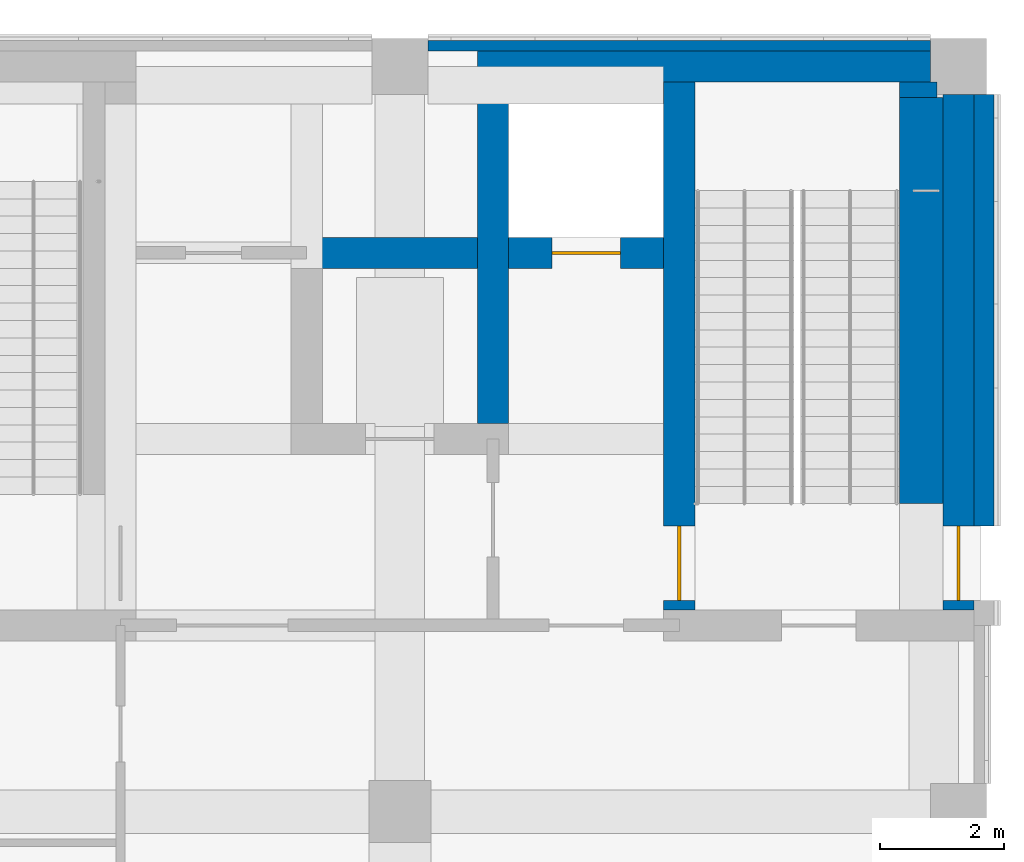
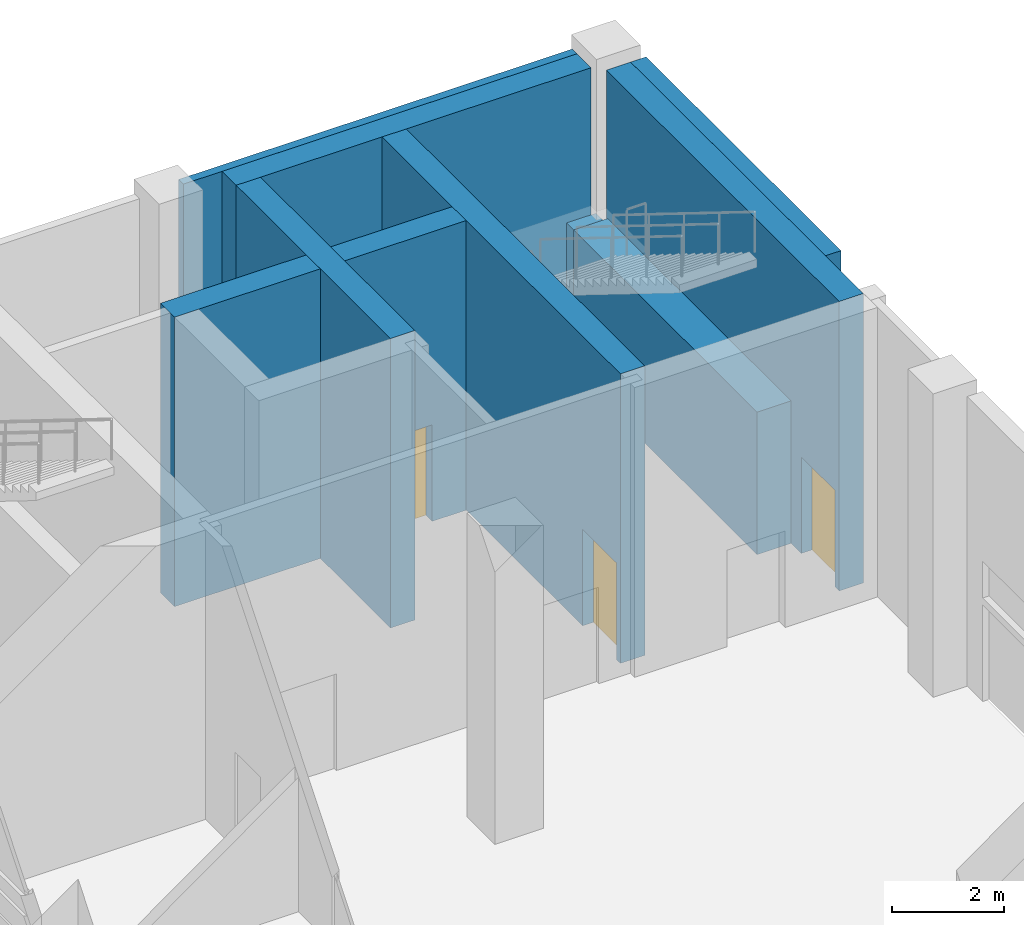
# One storey, part 19 of 35: 9 walls, 3 doors, 3 openings.
"""IFC4 building model written with IfcOpenShell, lengths in metres."""

import ifcopenshell
import ifcopenshell.guid

model = None  # the IFC model being written
_history = None  # IfcOwnerHistory: only IFC2X3 demands one
_inside = {}  # id of a spatial element -> (the spatial element, [elements in it])
_under = {}  # id of a project, library or spatial element -> (it, [spatial elements below it])
_declared = {}  # id of a project -> (the project, [libraries it declares])
_typed = {}  # id of a type object -> (the type object, [elements of that type])
_made_of = {}  # id of a material, layer set ... -> (it, [elements and type objects made of it])


def new_model(schema):
    """Start an empty IFC model of exactly this schema.

    Asked for "IFC4X3", IfcOpenShell would pick the latest addendum, in which some entities
    have other attributes; the version numbers below select the first issue.
    IFC2X3 requires an IfcOwnerHistory on every rooted entity: one is made here for all.
    """
    global model, _history
    if schema == "IFC4X3":
        model = ifcopenshell.file(schema_version=(4, 3, 0, 0))
    else:
        model = ifcopenshell.file(schema=schema)
    _inside.clear()
    _under.clear()
    _declared.clear()
    _typed.clear()
    _made_of.clear()
    _history = None
    if model.schema == "IFC2X3":
        org = make("IfcOrganization", Name="unknown")
        user = make(
            "IfcPersonAndOrganization",
            ThePerson=make("IfcPerson", FamilyName="unknown"),
            TheOrganization=org,
        )
        app = make(
            "IfcApplication",
            ApplicationDeveloper=org,
            Version="unknown",
            ApplicationFullName="unknown",
            ApplicationIdentifier="unknown",
        )
        _history = make(
            "IfcOwnerHistory",
            OwningUser=user,
            OwningApplication=app,
            ChangeAction="ADDED",
            CreationDate=0,
        )
    return model


def make(cls, **values):
    """One entity of the class cls with the attributes given. An attribute that is None is left unset."""
    return model.create_entity(
        cls, **{name: value for name, value in values.items() if value is not None}
    )


def rooted(cls, **values):
    """An entity with a GlobalId (a new one), such as an element, a storey or a relation."""
    return make(cls, GlobalId=ifcopenshell.guid.new(), OwnerHistory=_history, **values)


def si_unit(unit_type, name, prefix=None):
    """IfcSIUnit, for example si_unit("LENGTHUNIT", "METRE", prefix="MILLI")."""
    return make("IfcSIUnit", UnitType=unit_type, Prefix=prefix, Name=name)


def assignment(units):
    """IfcUnitAssignment: the units of a project."""
    return None if units is None else make("IfcUnitAssignment", Units=units)


def point(xyz):
    """IfcCartesianPoint."""
    return None if xyz is None else make("IfcCartesianPoint", Coordinates=xyz)


def direction(xyz):
    """IfcDirection."""
    return None if xyz is None else make("IfcDirection", DirectionRatios=xyz)


def frame(location, z_axis=None, x_axis=None):
    """IfcAxis2Placement3D, a coordinate frame: its origin and axes. An axis left out is left unset."""
    return make(
        "IfcAxis2Placement3D",
        Location=point(location),
        Axis=direction(z_axis),
        RefDirection=direction(x_axis),
    )


def frame_2d(location, x_axis=None):
    """IfcAxis2Placement2D, a coordinate frame in the plane: its origin and x axis."""
    return make(
        "IfcAxis2Placement2D", Location=point(location), RefDirection=direction(x_axis)
    )


def origin():
    """The frame at (0, 0, 0) with its axes left unset."""
    return frame((0.0, 0.0, 0.0))


def place(relative_to, where):
    """IfcLocalPlacement: puts the frame where relative to a parent placement (None: the world)."""
    return make(
        "IfcLocalPlacement", PlacementRelTo=relative_to, RelativePlacement=where
    )


def context(
    kind, dimensions, precision=None, world=None, true_north=None, identifier=None
):
    """IfcGeometricRepresentationContext, for example the 3D "Model" context."""
    return make(
        "IfcGeometricRepresentationContext",
        ContextIdentifier=identifier,
        ContextType=kind,
        CoordinateSpaceDimension=dimensions,
        Precision=precision,
        WorldCoordinateSystem=world,
        TrueNorth=true_north,
    )


def subcontext(parent, identifier, kind, view, scale=None):
    """IfcGeometricRepresentationSubContext, for example "Body" below "Model"."""
    return make(
        "IfcGeometricRepresentationSubContext",
        ContextIdentifier=identifier,
        ContextType=kind,
        ParentContext=parent,
        TargetScale=scale,
        TargetView=view,
    )


def project(units=None, contexts=None):
    """IfcProject with its units and contexts."""
    return rooted(
        "IfcProject",
        Name="project",
        RepresentationContexts=contexts,
        UnitsInContext=assignment(units),
    )


def spatial(cls, under=None, at=None, **own):
    """A site, building, storey or space (cls), placed at a placement, below another one or the project."""
    s = rooted(cls, ObjectPlacement=at, **own)
    if under is not None:
        _under.setdefault(under.id(), (under, []))[1].append(s)
    return s


def profile(cls, at=None, kind="AREA", **sizes):
    """A parametric profile (cls). Its sizes go by their IFC names, for example OverallWidth=200.0."""
    return make(cls, ProfileType=kind, Position=at, **sizes)


def rectangle(**sizes):
    """IfcRectangleProfileDef."""
    return profile("IfcRectangleProfileDef", **sizes)


def extrude(swept, where, along, depth):
    """IfcExtrudedAreaSolid: the profile swept, set in the frame where, extruded along a direction by depth."""
    return make(
        "IfcExtrudedAreaSolid",
        SweptArea=swept,
        Position=where,
        ExtrudedDirection=direction(along),
        Depth=depth,
    )


def shape(context_of_items, identifier, shape_type, items):
    """IfcShapeRepresentation: the items that make up one representation, for example the "Body"."""
    return make(
        "IfcShapeRepresentation",
        ContextOfItems=context_of_items,
        RepresentationIdentifier=identifier,
        RepresentationType=shape_type,
        Items=items,
    )


def material(Name=None, Category=None):
    """IfcMaterial."""
    return make("IfcMaterial", Name=Name, Category=Category)


def layer(
    of_material, thickness, ventilated=None, Name=None, Category=None, Priority=None
):
    """IfcMaterialLayer: one layer of a wall or slab, of a material (None: an air gap)."""
    return make(
        "IfcMaterialLayer",
        Material=of_material,
        LayerThickness=thickness,
        IsVentilated=ventilated,
        Name=Name,
        Category=Category,
        Priority=Priority,
    )


def layer_set(layers, Name=None):
    """IfcMaterialLayerSet."""
    return make("IfcMaterialLayerSet", MaterialLayers=layers, LayerSetName=Name)


def made_of(thing, what):
    """Note that an element or type object is made of a material, layer set ...; save() writes the relation."""
    if what is not None:
        _made_of.setdefault(what.id(), (what, []))[1].append(thing)
    return thing


def type_object(cls, material=None, **own):
    """A type object (cls), such as IfcWallType, which elements share."""
    return made_of(rooted(cls, **own), material)


def element(
    cls,
    number,
    at=None,
    inside=None,
    cuts=None,
    type_object=None,
    material=None,
    context=None,
    identifier="Body",
    shape_type=None,
    held_by="IfcProductDefinitionShape",
    body=None,
    shapes=None,
    **own,
):
    """One element of the class cls, such as IfcWall. Its Tag is "e" and its number.

    at: its placement. inside: the storey or other place that contains it. cuts: it is an
    opening in that element (IfcRelVoidsElement). A single representation is given by context,
    identifier, shape_type and body (its items); several are given by shapes. held_by: the class
    of the entity that holds the representations. save() writes the other relations.
    """
    e = rooted(cls, Tag="e%d" % number, ObjectPlacement=at, **own)
    if body is not None:
        shapes = [shape(context, identifier, shape_type, body)]
    if shapes is not None:
        e.Representation = make(held_by, Representations=shapes)
    if inside is not None:
        _inside.setdefault(inside.id(), (inside, []))[1].append(e)
    if cuts is not None:
        rooted(
            "IfcRelVoidsElement", RelatingBuildingElement=cuts, RelatedOpeningElement=e
        )
    if type_object is not None:
        _typed.setdefault(type_object.id(), (type_object, []))[1].append(e)
    return made_of(e, material)


def fill(opening, filler):
    """IfcRelFillsElement: the door or window that sits in an opening."""
    return rooted(
        "IfcRelFillsElement",
        RelatingOpeningElement=opening,
        RelatedBuildingElement=filler,
    )


def aggregate(whole, parts):
    """IfcRelAggregates: a whole, such as a stair, and the parts it consists of."""
    return rooted("IfcRelAggregates", RelatingObject=whole, RelatedObjects=parts)


def save(model, path):
    """Write the relations noted so far, then the file.

    IfcRelAggregates (storeys below a building ...), IfcRelContainedInSpatialStructure (elements
    in a storey), IfcRelDefinesByType, IfcRelAssociatesMaterial and IfcRelDeclares: one each for
    every whole, place, type object, material and project.
    """
    for whole, parts in _under.values():
        aggregate(whole, parts)
    for where, things in _inside.values():
        rooted(
            "IfcRelContainedInSpatialStructure",
            RelatedElements=things,
            RelatingStructure=where,
        )
    for kind, things in _typed.values():
        rooted("IfcRelDefinesByType", RelatedObjects=things, RelatingType=kind)
    for what, things in _made_of.values():
        rooted("IfcRelAssociatesMaterial", RelatedObjects=things, RelatingMaterial=what)
    for by, libraries in _declared.values():
        rooted("IfcRelDeclares", RelatingContext=by, RelatedDefinitions=libraries)
    model.write(path)


model = new_model("IFC4")

# Units and contexts
model_context = context("Model", 3, precision=1e-05, world=origin(), true_north=direction((0.0, 1.0)))
body_context = subcontext(model_context, "Body", "Model", "MODEL_VIEW")
ifc_project = project(units=[si_unit("LENGTHUNIT", "METRE"), si_unit("AREAUNIT", "SQUARE_METRE"), si_unit("VOLUMEUNIT", "CUBIC_METRE"), si_unit("PLANEANGLEUNIT", "RADIAN"), si_unit("MASSUNIT", "GRAM", prefix="KILO")], contexts=[model_context])

# Site, building, storey
site_placement = place(None, origin())
site = spatial("IfcSite", under=ifc_project, at=site_placement, CompositionType="ELEMENT")
building_placement = place(site_placement, origin())
building = spatial("IfcBuilding", under=site, at=building_placement, Name="Aurelan Courthouse", CompositionType="ELEMENT")
storey_placement = place(building_placement, origin())
storey = spatial("IfcBuildingStorey", under=building, at=storey_placement, Name="L00", CompositionType="ELEMENT", Elevation=0.0)

# Walls
ifc_material_1 = material(Name="Granite cladding", Category="masonry")
ifc_layer_1 = layer(ifc_material_1, 0.050048828125, Name="Facing")
ifc_material_2 = material(Name="Ventilated cavity")
ifc_layer_2 = layer(ifc_material_2, 0.02490234375, ventilated=True, Name="Ventilated cavity")
ifc_material_3 = material(Name="Mineral wool insulation")
ifc_layer_3 = layer(ifc_material_3, 0.02490234375, Name="Insulation")
ifc_material_4 = material(Name="Concrete C30", Category="concrete")
ifc_layer_4 = layer(ifc_material_4, 0.070068359375, Name="Structure")
ifc_layer_set_1 = layer_set([ifc_layer_1, ifc_layer_2, ifc_layer_3, ifc_layer_4], Name="Concrete C30")
wall_type_1 = type_object("IfcWallType", Name="Law Library granite-faced wall 170", PredefinedType="SOLIDWALL", material=ifc_layer_set_1)
wall_1_placement = place(storey_placement, frame((81.449951171875, 66.3349609375, 0.0), z_axis=(0.0, 0.0, 1.0), x_axis=(1.0, 0.0, 0.0)))
element("IfcWall", 1, at=wall_1_placement, inside=storey, type_object=wall_type_1, Name="Facade wall FW-V3-L00-004", PredefinedType="SOLIDWALL", context=body_context, shape_type="SweptSolid", body=[
    extrude(rectangle(XDim=8.10009765625, YDim=0.169921875, at=frame_2d((4.050048828125, 0.0))), origin(), (0.0, 0.0, 1.0), 6.300048828125),
])
ifc_layer_5 = layer(ifc_material_1, 0.090087890625, Name="Facing")
ifc_layer_6 = layer(ifc_material_2, 0.02490234375, ventilated=True, Name="Ventilated cavity")
ifc_layer_7 = layer(ifc_material_3, 0.044921875, Name="Insulation")
ifc_layer_8 = layer(ifc_material_4, 0.159912109375, Name="Structure")
ifc_layer_set_2 = layer_set([ifc_layer_5, ifc_layer_6, ifc_layer_7, ifc_layer_8], Name="Concrete C30")
wall_type_2 = type_object("IfcWallType", Name="Law Library granite-faced wall 320", PredefinedType="SOLIDWALL", material=ifc_layer_set_2)
wall_2_placement = place(storey_placement, frame((90.409912109375, 58.60009765625, 0.0), z_axis=(0.0, 0.0, 1.0), x_axis=(0.0, 1.0, 0.0)))
element("IfcWall", 2, at=wall_2_placement, inside=storey, type_object=wall_type_2, Name="Facade wall FW-V3-L00-009", PredefinedType="SOLIDWALL", context=body_context, shape_type="SweptSolid", body=[
    extrude(rectangle(XDim=6.949951171875, YDim=0.320068359375, at=frame_2d((3.47509765625, 0.0))), origin(), (0.0, 0.0, 1.0), 6.300048828125),
])

# Wall, opening, door
ifc_material_5 = material(Name="Concrete C50", Category="concrete")
ifc_layer_9 = layer(ifc_material_5, 0.5)
ifc_layer_set_3 = layer_set([ifc_layer_9], Name="Concrete C50")
wall_type_3 = type_object("IfcWallType", Name="RC shear wall 500", PredefinedType="SHEAR", material=ifc_layer_set_3)
wall_3_placement = place(storey_placement, frame((85.5, 57.25, 0.0), z_axis=(0.0, 0.0, 1.0), x_axis=(0.0, 1.0, 0.0)))
wall_3 = element("IfcWall", 3, at=wall_3_placement, inside=storey, type_object=wall_type_3, Name="Core wall SW-L00-076", PredefinedType="SHEAR", context=body_context, shape_type="SweptSolid", body=[
    extrude(rectangle(XDim=8.5, YDim=0.5, at=frame_2d((4.25, 0.0))), origin(), (0.0, 0.0, 1.0), 6.300048828125),
])
opening_1_placement = place(wall_3_placement, frame((1.349853515625, 0.0, 0.0), z_axis=(0.0, 0.0, 1.0), x_axis=(-1.0, 0.0, 0.0)))
opening_1 = element("IfcOpeningElement", 4, at=opening_1_placement, cuts=wall_3, Name="Opening D-L00-060", PredefinedType="OPENING", context=body_context, shape_type="SweptSolid", body=[
    extrude(rectangle(XDim=1.199951171875, YDim=2.10009765625, at=frame_2d((0.60009765625, 1.050048828125))), frame((0.0, 0.260009765625, 0.0), z_axis=(0.0, -1.0, 0.0), x_axis=(1.0, 0.0, 0.0)), (0.0, 0.0, 1.0), 0.52001953125),
])
ifc_material_6 = material(Name="Steel", Category="steel")
door_type_1 = type_object("IfcDoorType", Name="Single door 1200 x 2100 FD90", OperationType="SINGLE_SWING_LEFT", PredefinedType="DOOR", material=ifc_material_6)
door_1_placement = place(opening_1_placement, origin())
door_1 = element("IfcDoor", 5, at=door_1_placement, inside=storey, type_object=door_type_1, Name="Single door D-L00-060", OperationType="SINGLE_SWING_RIGHT", OverallHeight=2.10009765625, OverallWidth=1.199951171875, PredefinedType="DOOR", context=body_context, shape_type="SweptSolid", body=[
    extrude(rectangle(XDim=1.199951171875, YDim=2.10009765625, at=frame_2d((0.60009765625, 1.050048828125))), frame((0.0, 0.02490234375, 0.0), z_axis=(0.0, -1.0, 0.0), x_axis=(1.0, 0.0, 0.0)), (0.0, 0.0, 1.0), 0.050048828125),
])
fill(opening_1, door_1)

wall_4_placement = place(storey_placement, frame((90.0, 57.25, 0.0), z_axis=(0.0, 0.0, 1.0), x_axis=(0.0, 1.0, 0.0)))
wall_4 = element("IfcWall", 6, at=wall_4_placement, inside=storey, type_object=wall_type_3, Name="Core wall SW-L00-077", PredefinedType="SHEAR", context=body_context, shape_type="SweptSolid", body=[
    extrude(rectangle(XDim=8.300048828125, YDim=0.5, at=frame_2d((4.14990234375, 0.0))), origin(), (0.0, 0.0, 1.0), 6.300048828125),
])
opening_2_placement = place(wall_4_placement, frame((1.349853515625, 0.0, 0.0), z_axis=(0.0, 0.0, 1.0), x_axis=(-1.0, 0.0, 0.0)))
opening_2 = element("IfcOpeningElement", 7, at=opening_2_placement, cuts=wall_4, Name="Opening D-L00-073", PredefinedType="OPENING", context=body_context, shape_type="SweptSolid", body=[
    extrude(rectangle(XDim=1.199951171875, YDim=2.10009765625, at=frame_2d((0.60009765625, 1.050048828125))), frame((0.0, 0.260009765625, 0.0), z_axis=(0.0, -1.0, 0.0), x_axis=(1.0, 0.0, 0.0)), (0.0, 0.0, 1.0), 0.52001953125),
])
ifc_material_7 = material(Name="Bronze-clad timber", Category="wood")
door_type_2 = type_object("IfcDoorType", Name="Bronze single door 1200 x 2100", OperationType="SINGLE_SWING_LEFT", PredefinedType="DOOR", material=ifc_material_7)
door_2_placement = place(opening_2_placement, origin())
door_2 = element("IfcDoor", 8, at=door_2_placement, inside=storey, type_object=door_type_2, Name="Exit door D-L00-073", OperationType="SINGLE_SWING_LEFT", OverallHeight=2.10009765625, OverallWidth=1.199951171875, PredefinedType="DOOR", context=body_context, shape_type="SweptSolid", body=[
    extrude(rectangle(XDim=1.199951171875, YDim=2.10009765625, at=frame_2d((0.60009765625, 1.050048828125))), frame((0.0, 0.02490234375, 0.0), z_axis=(0.0, -1.0, 0.0), x_axis=(1.0, 0.0, 0.0)), (0.0, 0.0, 1.0), 0.050048828125),
])
fill(opening_2, door_2)

# Wall
wall_5_placement = place(storey_placement, frame((82.5, 60.25, 0.0), z_axis=(0.0, 0.0, 1.0), x_axis=(0.0, 1.0, 0.0)))
element("IfcWall", 9, at=wall_5_placement, inside=storey, type_object=wall_type_3, Name="Core wall SW-L00-088", PredefinedType="SHEAR", context=body_context, shape_type="SweptSolid", body=[
    extrude(rectangle(XDim=5.5, YDim=0.5, at=frame_2d((2.75, 0.0))), origin(), (0.0, 0.0, 1.0), 6.300048828125),
])

# Wall, opening, door
wall_6_placement = place(storey_placement, frame((79.25, 63.0, 0.0), z_axis=(0.0, 0.0, 1.0), x_axis=(1.0, 0.0, 0.0)))
wall_6 = element("IfcWall", 10, at=wall_6_placement, inside=storey, type_object=wall_type_3, Name="Core wall SW-L00-092", PredefinedType="SHEAR", context=body_context, shape_type="SweptSolid", body=[
    extrude(rectangle(XDim=6.0, YDim=0.5, at=frame_2d((3.0, 0.0))), origin(), (0.0, 0.0, 1.0), 6.300048828125),
])
opening_3_placement = place(wall_6_placement, frame((4.199951171875, 0.0, 0.0)))
opening_3 = element("IfcOpeningElement", 11, at=opening_3_placement, cuts=wall_6, Name="Opening LD-V3-F1-L00", PredefinedType="OPENING", context=body_context, shape_type="SweptSolid", body=[
    extrude(rectangle(XDim=1.10009765625, YDim=2.10009765625, at=frame_2d((0.550048828125, 1.050048828125))), frame((0.0, 0.260009765625, 0.0), z_axis=(0.0, -1.0, 0.0), x_axis=(1.0, 0.0, 0.0)), (0.0, 0.0, 1.0), 0.52001953125),
])
door_type_3 = type_object("IfcDoorType", Name="Lift landing door 1100 x 2100 FD90", OperationType="SLIDING_TO_LEFT", PredefinedType="DOOR", material=ifc_material_6)
door_3_placement = place(opening_3_placement, origin())
door_3 = element("IfcDoor", 12, at=door_3_placement, inside=storey, type_object=door_type_3, Name="Lift landing door LD-V3-F1-L00", OperationType="SLIDING_TO_LEFT", OverallHeight=2.10009765625, OverallWidth=1.10009765625, PredefinedType="DOOR", context=body_context, shape_type="SweptSolid", body=[
    extrude(rectangle(XDim=1.10009765625, YDim=2.10009765625, at=frame_2d((0.550048828125, 1.050048828125))), frame((0.0, 0.02490234375, 0.0), z_axis=(0.0, -1.0, 0.0), x_axis=(1.0, 0.0, 0.0)), (0.0, 0.0, 1.0), 0.050048828125),
])
fill(opening_3, door_3)

# Walls
wall_7_placement = place(storey_placement, frame((82.25, 66.0, 0.0), z_axis=(0.0, 0.0, 1.0), x_axis=(1.0, 0.0, 0.0)))
element("IfcWall", 13, at=wall_7_placement, inside=storey, type_object=wall_type_3, Name="Core wall SW-L00-100", PredefinedType="SHEAR", context=body_context, shape_type="SweptSolid", body=[
    extrude(rectangle(XDim=7.300048828125, YDim=0.5, at=frame_2d((3.64990234375, 0.0))), origin(), (0.0, 0.0, 1.0), 6.300048828125),
])
ifc_layer_10 = layer(ifc_material_4, 0.60009765625)
ifc_layer_set_4 = layer_set([ifc_layer_10], Name="Concrete C30")
wall_type_4 = type_object("IfcWallType", Name="Stair well wall 600 EI 120 load-bearing", PredefinedType="SHEAR", material=ifc_layer_set_4)
wall_8_placement = place(storey_placement, frame((89.35009765625, 65.5, 0.0), z_axis=(0.0, 0.0, 1.0), x_axis=(0.0, 1.0, 0.0)))
element("IfcWall", 14, at=wall_8_placement, inside=storey, type_object=wall_type_4, Name="Stair well wall ST-3B-L00 B2", PredefinedType="SHEAR", context=body_context, shape_type="SweptSolid", body=[
    extrude(rectangle(XDim=0.25, YDim=0.60009765625, at=frame_2d((0.125, 0.0))), origin(), (0.0, 0.0, 1.0), 3.10009765625),
])
ifc_layer_11 = layer(ifc_material_4, 0.699951171875)
ifc_layer_set_5 = layer_set([ifc_layer_11], Name="Concrete C30")
wall_type_5 = type_object("IfcWallType", Name="Stair well wall 700 EI 120 load-bearing", PredefinedType="SHEAR", material=ifc_layer_set_5)
wall_9_placement = place(storey_placement, frame((89.39990234375, 58.9599609375, 0.0), z_axis=(0.0, 0.0, 1.0), x_axis=(0.0, 1.0, 0.0)))
element("IfcWall", 15, at=wall_9_placement, inside=storey, type_object=wall_type_5, Name="Stair well wall ST-3B-L00 B", PredefinedType="SHEAR", context=body_context, shape_type="SweptSolid", body=[
    extrude(rectangle(XDim=6.5400390625, YDim=0.699951171875, at=frame_2d((3.27001953125, 0.0))), origin(), (0.0, 0.0, 1.0), 3.10009765625),
])

save(model, "model.ifc")
